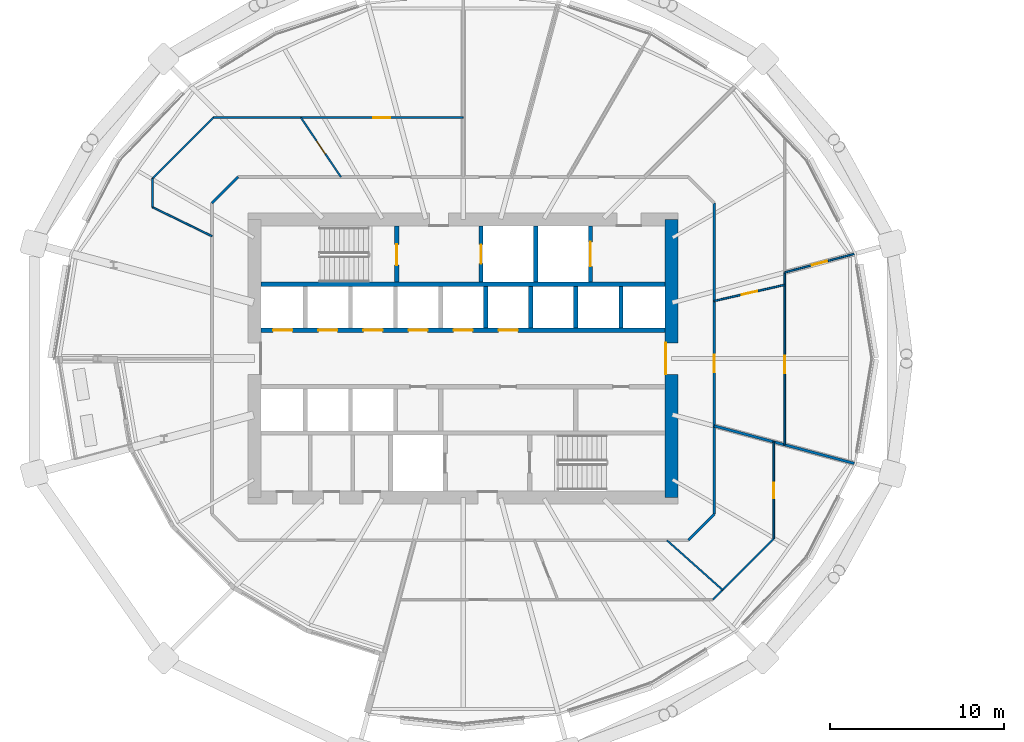
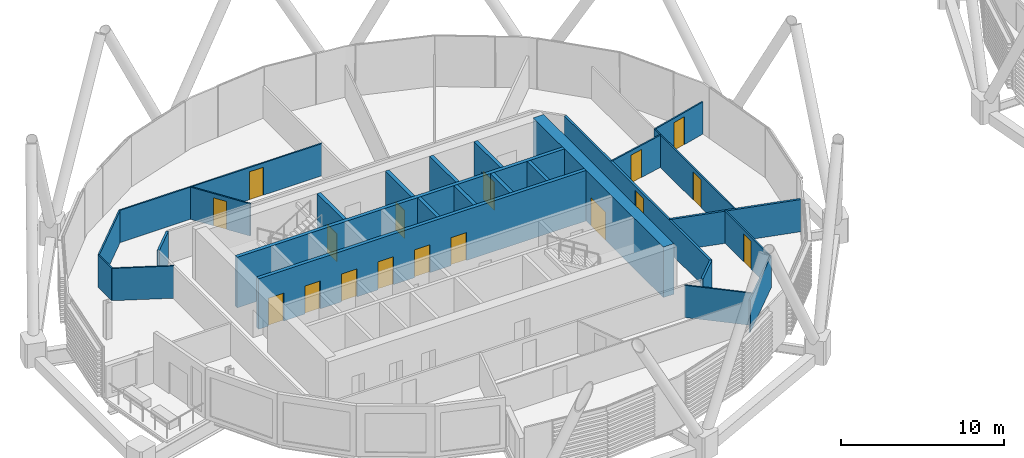
# One storey, part 24 of 38: 26 walls, 17 doors, 17 openings.
"""IFC4 building model written with IfcOpenShell, lengths in metres."""

from ifc_helpers import new_model, si_unit, direction, frame, frame_2d, origin, place, context, subcontext, project, spatial, rectangle, extrude, material, layer, layer_set, type_object, element, fill, save


model = new_model("IFC4")

# Units and contexts
model_context = context("Model", 3, precision=1e-05, world=origin(), true_north=direction((0.0, 1.0)))
body_context = subcontext(model_context, "Body", "Model", "MODEL_VIEW")
ifc_project = project(units=[si_unit("LENGTHUNIT", "METRE"), si_unit("AREAUNIT", "SQUARE_METRE"), si_unit("VOLUMEUNIT", "CUBIC_METRE"), si_unit("PLANEANGLEUNIT", "RADIAN"), si_unit("MASSUNIT", "GRAM", prefix="KILO")], contexts=[model_context])

# Site, building, storey
site_placement = place(None, origin())
site = spatial("IfcSite", under=ifc_project, at=site_placement, CompositionType="ELEMENT")
building_placement = place(site_placement, origin())
building = spatial("IfcBuilding", under=site, at=building_placement, Name="Rimbun Link Towers", CompositionType="ELEMENT")
storey_placement = place(building_placement, frame((0.0, 0.0, 93.0)))
storey = spatial("IfcBuildingStorey", under=building, at=storey_placement, Name="L22", CompositionType="ELEMENT", Elevation=93.0)

# Wall, opening, door
ifc_material_1 = material(Name="Concrete C60/75", Category="concrete")
ifc_layer_1 = layer(ifc_material_1, 0.75)
ifc_layer_set_1 = layer_set([ifc_layer_1], Name="Core shear wall 750")
wall_type_1 = type_object("IfcWallType", Name="Core shear wall 750", PredefinedType="SHEAR", material=ifc_layer_set_1)
wall_1_placement = place(storey_placement, frame((-19.75, -8.0, 0.0), z_axis=(0.0, 0.0, 1.0), x_axis=(0.0, 1.0, 0.0)))
wall_1 = element("IfcWall", 1, at=wall_1_placement, inside=storey, type_object=wall_type_1, Name="L22 T1 core wall E", PredefinedType="SHEAR", context=body_context, shape_type="SweptSolid", body=[
    extrude(rectangle(XDim=16.0, YDim=0.75, at=frame_2d((8.0, 0.0))), origin(), (0.0, 0.0, 1.0), 3.800048828125),
])
opening_1_placement = place(wall_1_placement, frame((7.10009765625, 0.0, 0.0)))
opening_1 = element("IfcOpeningElement", 2, at=opening_1_placement, cuts=wall_1, Name="Opening C1DCL01E", PredefinedType="OPENING", context=body_context, shape_type="SweptSolid", body=[
    extrude(rectangle(XDim=1.800048828125, YDim=2.10009765625, at=frame_2d((0.89990234375, 1.050048828125))), frame((0.0, 0.385009765625, 0.0), z_axis=(0.0, -1.0, 0.0), x_axis=(1.0, 0.0, 0.0)), (0.0, 0.0, 1.0), 0.77001953125),
])
ifc_material_2 = material(Name="Steel fire door set", Category="steel")
door_type_1 = type_object("IfcDoorType", Name="Core lobby door double", OperationType="DOUBLE_DOOR_SINGLE_SWING", PredefinedType="DOOR", material=ifc_material_2)
door_1_placement = place(opening_1_placement, origin())
door_1 = element("IfcDoor", 3, at=door_1_placement, inside=storey, type_object=door_type_1, Name="L22 T1 lift lobby door", OperationType="DOUBLE_DOOR_SINGLE_SWING", OverallHeight=2.10009765625, OverallWidth=1.800048828125, PredefinedType="DOOR", context=body_context, shape_type="SweptSolid", body=[
    extrude(rectangle(XDim=1.800048828125, YDim=2.10009765625, at=frame_2d((0.89990234375, 1.050048828125))), frame((0.0, 0.375, 0.0), z_axis=(0.0, -1.0, 0.0), x_axis=(1.0, 0.0, 0.0)), (0.0, 0.0, 1.0), 0.050048828125),
])
fill(opening_1, door_1)

ifc_material_3 = material(Name="Plasterboard on steel stud, mineral wool", Category="steel")
ifc_layer_2 = layer(ifc_material_3, 0.14990234375)
ifc_layer_set_2 = layer_set([ifc_layer_2], Name="Corridor wall EI 30 150 mm")
wall_type_2 = type_object("IfcWallType", Name="Corridor wall EI 30 150 mm", PredefinedType="PARTITIONING", material=ifc_layer_set_2)
wall_2_placement = place(storey_placement, frame((-17.300048828125, 8.95166015625, 0.0), z_axis=(0.0, 0.0, 1.0), x_axis=(0.0, -1.0, 0.0)))
wall_2 = element("IfcWall", 4, at=wall_2_placement, inside=storey, type_object=wall_type_2, Name="Corridor wall EI 30 150 mm", PredefinedType="PARTITIONING", context=body_context, shape_type="SweptSolid", body=[
    extrude(rectangle(XDim=17.9033203125, YDim=0.14990234375, at=frame_2d((8.95166015625, 0.0))), origin(), (0.0, 0.0, 1.0), 2.419921875),
])
opening_2_placement = place(wall_2_placement, frame((8.72900390625, 0.0, 0.0)))
opening_2 = element("IfcOpeningElement", 5, at=opening_2_placement, cuts=wall_2, Name="Opening D01", PredefinedType="OPENING", context=body_context, shape_type="SweptSolid", body=[
    extrude(rectangle(XDim=1.0, YDim=2.10009765625, at=frame_2d((0.5, 1.050048828125))), frame((0.0, 0.0849609375, 0.0), z_axis=(0.0, -1.0, 0.0), x_axis=(1.0, 0.0, 0.0)), (0.0, 0.0, 1.0), 0.169921875),
])
ifc_material_4 = material(Name="Fire-resisting timber door leaf", Category="wood")
door_type_2 = type_object("IfcDoorType", Name="Fire door FD30S 1000", OperationType="NOTDEFINED", PredefinedType="DOOR", material=ifc_material_4)
door_2_placement = place(opening_2_placement, origin())
door_2 = element("IfcDoor", 6, at=door_2_placement, inside=storey, type_object=door_type_2, Name="Fire door FD30S 1000 to Reception", OperationType="SINGLE_SWING_RIGHT", OverallHeight=2.10009765625, OverallWidth=1.0, PredefinedType="DOOR", context=body_context, shape_type="SweptSolid", body=[
    extrude(rectangle(XDim=1.0, YDim=2.10009765625, at=frame_2d((0.5, 1.050048828125))), frame((0.0, 0.02490234375, 0.0), z_axis=(0.0, -1.0, 0.0), x_axis=(1.0, 0.0, 0.0)), (0.0, 0.0, 1.0), 0.050048828125),
])
fill(opening_2, door_2)

# Walls
for number, where, z_axis, x_axis, name in (
    (7, (-18.79833984375, -10.449951171875, 0.0), (0.0, 0.0, 1.0), (0.707106781187, 0.707106781187, 0.0), "Corridor wall EI 30 150 mm"),
    (8, (-44.70166015625, 10.449951171875, 0.0), (0.0, 0.0, 1.0), (-0.707106781187, -0.707106781187, 0.0), "Corridor wall EI 30 150 mm"),
):
    element("IfcWall", number, at=place(storey_placement, frame(where, z_axis=z_axis, x_axis=x_axis)), inside=storey, type_object=wall_type_2, Name=name, PredefinedType="PARTITIONING", context=body_context, shape_type="SweptSolid", body=[
        extrude(rectangle(XDim=2.118896484375, YDim=0.14990234375, at=frame_2d((1.0595703125, 0.0))), origin(), (0.0, 0.0, 1.0), 2.419921875),
    ])
ifc_material_5 = material(Name="Plasterboard on steel stud", Category="steel")
ifc_layer_3 = layer(ifc_material_5, 0.10009765625)
ifc_layer_set_3 = layer_set([ifc_layer_3], Name="Plasterboard partition 100 mm")
wall_type_3 = type_object("IfcWallType", Name="Plasterboard partition 100 mm", PredefinedType="PARTITIONING", material=ifc_layer_set_3)
wall_3_placement = place(storey_placement, frame((-16.8212890625, -13.3095703125, 0.0), z_axis=(0.0, 0.0, 1.0), x_axis=(-0.746427378028, 0.665466880716, 0.0)))
element("IfcWall", 9, at=wall_3_placement, inside=storey, type_object=wall_type_3, Name="Plasterboard partition 100 mm", PredefinedType="PARTITIONING", context=body_context, shape_type="SweptSolid", body=[
    extrude(rectangle(XDim=4.297119140625, YDim=0.10009765625, at=frame_2d((2.1484375, 0.0))), origin(), (0.0, 0.0, 1.0), 2.419921875),
])
wall_4_placement = place(storey_placement, frame((-17.381591796875, -13.8701171875, 0.0), z_axis=(0.0, 0.0, 1.0), x_axis=(0.707008174748, 0.707205373876, 0.0)))
element("IfcWall", 10, at=wall_4_placement, inside=storey, type_object=wall_type_3, Name="Plasterboard partition 100 mm", PredefinedType="PARTITIONING", context=body_context, shape_type="SweptSolid", body=[
    extrude(rectangle(XDim=4.9521484375, YDim=0.10009765625, at=frame_2d((2.47607421875, 0.0))), origin(), (0.0, 0.0, 1.0), 2.419921875),
])

# Wall, opening, door
wall_5_placement = place(storey_placement, frame((-13.8798828125, -10.368408203125, 0.0), z_axis=(0.0, 0.0, 1.0), x_axis=(0.0, 1.0, 0.0)))
wall_5 = element("IfcWall", 11, at=wall_5_placement, inside=storey, type_object=wall_type_3, Name="Plasterboard partition 100 mm", PredefinedType="PARTITIONING", context=body_context, shape_type="SweptSolid", body=[
    extrude(rectangle(XDim=5.580322265625, YDim=0.10009765625, at=frame_2d((2.7900390625, 0.0))), origin(), (0.0, 0.0, 1.0), 2.419921875),
])
opening_3_placement = place(wall_5_placement, frame((2.340087890625, 0.0, 0.0)))
opening_3 = element("IfcOpeningElement", 12, at=opening_3_placement, cuts=wall_5, Name="Opening D04", PredefinedType="OPENING", context=body_context, shape_type="SweptSolid", body=[
    extrude(rectangle(XDim=0.89990234375, YDim=2.10009765625, at=frame_2d((0.449951171875, 1.050048828125))), frame((0.0, 0.06005859375, 0.0), z_axis=(0.0, -1.0, 0.0), x_axis=(1.0, 0.0, 0.0)), (0.0, 0.0, 1.0), 0.1201171875),
])
ifc_material_6 = material(Name="Timber door leaf", Category="wood")
door_type_3 = type_object("IfcDoorType", Name="Flush door 900", OperationType="NOTDEFINED", PredefinedType="DOOR", material=ifc_material_6)
door_3_placement = place(opening_3_placement, origin())
door_3 = element("IfcDoor", 13, at=door_3_placement, inside=storey, type_object=door_type_3, Name="Flush door 900 to Print room", OperationType="SINGLE_SWING_LEFT", OverallHeight=2.10009765625, OverallWidth=0.89990234375, PredefinedType="DOOR", context=body_context, shape_type="SweptSolid", body=[
    extrude(rectangle(XDim=0.89990234375, YDim=2.10009765625, at=frame_2d((0.449951171875, 1.050048828125))), frame((0.0, 0.02490234375, 0.0), z_axis=(0.0, -1.0, 0.0), x_axis=(1.0, 0.0, 0.0)), (0.0, 0.0, 1.0), 0.050048828125),
])
fill(opening_3, door_3)

wall_6_placement = place(storey_placement, frame((-17.300048828125, 3.3173828125, 0.0), z_axis=(0.0, 0.0, 1.0), x_axis=(0.974638156082, 0.22378664998, 0.0)))
wall_6 = element("IfcWall", 14, at=wall_6_placement, inside=storey, type_object=wall_type_3, Name="Plasterboard partition 100 mm", PredefinedType="PARTITIONING", context=body_context, shape_type="SweptSolid", body=[
    extrude(rectangle(XDim=4.155517578125, YDim=0.10009765625, at=frame_2d((2.07763671875, 0.0))), origin(), (0.0, 0.0, 1.0), 2.419921875),
])
opening_4_placement = place(wall_6_placement, frame((1.627685546875, 0.0, 0.0)))
opening_4 = element("IfcOpeningElement", 15, at=opening_4_placement, cuts=wall_6, Name="Opening D04", PredefinedType="OPENING", context=body_context, shape_type="SweptSolid", body=[
    extrude(rectangle(XDim=0.89990234375, YDim=2.10009765625, at=frame_2d((0.449951171875, 1.050048828125))), frame((0.0, 0.06005859375, 0.0), z_axis=(0.0, -1.0, 0.0), x_axis=(1.0, 0.0, 0.0)), (0.0, 0.0, 1.0), 0.1201171875),
])
door_4_placement = place(opening_4_placement, origin())
door_4 = element("IfcDoor", 16, at=door_4_placement, inside=storey, type_object=door_type_3, Name="Flush door 900 to Pantry", OperationType="SINGLE_SWING_RIGHT", OverallHeight=2.10009765625, OverallWidth=0.89990234375, PredefinedType="DOOR", context=body_context, shape_type="SweptSolid", body=[
    extrude(rectangle(XDim=0.89990234375, YDim=2.10009765625, at=frame_2d((0.449951171875, 1.050048828125))), frame((0.0, 0.02490234375, 0.0), z_axis=(0.0, -1.0, 0.0), x_axis=(1.0, 0.0, 0.0)), (0.0, 0.0, 1.0), 0.050048828125),
])
fill(opening_4, door_4)

wall_7_placement = place(storey_placement, frame((-13.25, 4.95703125, 0.0), z_axis=(0.0, 0.0, 1.0), x_axis=(0.0, -1.0, 0.0)))
wall_7 = element("IfcWall", 17, at=wall_7_placement, inside=storey, type_object=wall_type_3, Name="Plasterboard partition 100 mm", PredefinedType="PARTITIONING", context=body_context, shape_type="SweptSolid", body=[
    extrude(rectangle(XDim=9.9140625, YDim=0.10009765625, at=frame_2d((4.95703125, 0.0))), origin(), (0.0, 0.0, 1.0), 2.419921875),
])
opening_5_placement = place(wall_7_placement, frame((4.797119140625, 0.0, 0.0)))
opening_5 = element("IfcOpeningElement", 18, at=opening_5_placement, cuts=wall_7, Name="Opening D03", PredefinedType="OPENING", context=body_context, shape_type="SweptSolid", body=[
    extrude(rectangle(XDim=1.0, YDim=2.10009765625, at=frame_2d((0.5, 1.050048828125))), frame((0.0, 0.06005859375, 0.0), z_axis=(0.0, -1.0, 0.0), x_axis=(1.0, 0.0, 0.0)), (0.0, 0.0, 1.0), 0.1201171875),
])
ifc_material_7 = material(Name="Timber door leaf", Category="wood")
door_type_4 = type_object("IfcDoorType", Name="Flush door 1000", OperationType="NOTDEFINED", PredefinedType="DOOR", material=ifc_material_7)
door_5_placement = place(opening_5_placement, origin())
door_5 = element("IfcDoor", 19, at=door_5_placement, inside=storey, type_object=door_type_4, Name="Flush door 1000 to Boardroom", OperationType="SINGLE_SWING_LEFT", OverallHeight=2.10009765625, OverallWidth=1.0, PredefinedType="DOOR", context=body_context, shape_type="SweptSolid", body=[
    extrude(rectangle(XDim=1.0, YDim=2.10009765625, at=frame_2d((0.5, 1.050048828125))), frame((0.0, 0.02490234375, 0.0), z_axis=(0.0, -1.0, 0.0), x_axis=(1.0, 0.0, 0.0)), (0.0, 0.0, 1.0), 0.050048828125),
])
fill(opening_5, door_5)

wall_8_placement = place(storey_placement, frame((-13.25, 4.95703125, 0.0), z_axis=(0.0, 0.0, 1.0), x_axis=(0.965926224116, 0.258817560387, 0.0)))
wall_8 = element("IfcWall", 20, at=wall_8_placement, inside=storey, type_object=wall_type_3, Name="Plasterboard partition 100 mm", PredefinedType="PARTITIONING", context=body_context, shape_type="SweptSolid", body=[
    extrude(rectangle(XDim=4.143798828125, YDim=0.10009765625, at=frame_2d((2.07177734375, 0.0))), origin(), (0.0, 0.0, 1.0), 2.419921875),
])
opening_6_placement = place(wall_8_placement, frame((1.6220703125, 0.0, 0.0)))
opening_6 = element("IfcOpeningElement", 21, at=opening_6_placement, cuts=wall_8, Name="Opening D04", PredefinedType="OPENING", context=body_context, shape_type="SweptSolid", body=[
    extrude(rectangle(XDim=0.89990234375, YDim=2.10009765625, at=frame_2d((0.449951171875, 1.050048828125))), frame((0.0, 0.06005859375, 0.0), z_axis=(0.0, -1.0, 0.0), x_axis=(1.0, 0.0, 0.0)), (0.0, 0.0, 1.0), 0.1201171875),
])
door_6_placement = place(opening_6_placement, origin())
door_6 = element("IfcDoor", 22, at=door_6_placement, inside=storey, type_object=door_type_3, Name="Flush door 900 to Meeting room", OperationType="SINGLE_SWING_RIGHT", OverallHeight=2.10009765625, OverallWidth=0.89990234375, PredefinedType="DOOR", context=body_context, shape_type="SweptSolid", body=[
    extrude(rectangle(XDim=0.89990234375, YDim=2.10009765625, at=frame_2d((0.449951171875, 1.050048828125))), frame((0.0, 0.02490234375, 0.0), z_axis=(0.0, -1.0, 0.0), x_axis=(1.0, 0.0, 0.0)), (0.0, 0.0, 1.0), 0.050048828125),
])
fill(opening_6, door_6)

wall_9_placement = place(storey_placement, frame((-38.784423828125, 10.449951171875, 0.0), z_axis=(0.0, 0.0, 1.0), x_axis=(-0.558411635741, 0.829564009024, 0.0)))
wall_9 = element("IfcWall", 23, at=wall_9_placement, inside=storey, type_object=wall_type_3, Name="Plasterboard partition 100 mm", PredefinedType="PARTITIONING", context=body_context, shape_type="SweptSolid", body=[
    extrude(rectangle(XDim=4.122802734375, YDim=0.10009765625, at=frame_2d((2.0615234375, 0.0))), origin(), (0.0, 0.0, 1.0), 2.419921875),
])
opening_7_placement = place(wall_9_placement, frame((1.611328125, 0.0, 0.0)))
opening_7 = element("IfcOpeningElement", 24, at=opening_7_placement, cuts=wall_9, Name="Opening D04", PredefinedType="OPENING", context=body_context, shape_type="SweptSolid", body=[
    extrude(rectangle(XDim=0.89990234375, YDim=2.10009765625, at=frame_2d((0.449951171875, 1.050048828125))), frame((0.0, 0.06005859375, 0.0), z_axis=(0.0, -1.0, 0.0), x_axis=(1.0, 0.0, 0.0)), (0.0, 0.0, 1.0), 0.1201171875),
])
door_7_placement = place(opening_7_placement, origin())
door_7 = element("IfcDoor", 25, at=door_7_placement, inside=storey, type_object=door_type_3, Name="Flush door 900 to Meeting room", OperationType="SINGLE_SWING_LEFT", OverallHeight=2.10009765625, OverallWidth=0.89990234375, PredefinedType="DOOR", context=body_context, shape_type="SweptSolid", body=[
    extrude(rectangle(XDim=0.89990234375, YDim=2.10009765625, at=frame_2d((0.449951171875, 1.050048828125))), frame((0.0, 0.02490234375, 0.0), z_axis=(0.0, -1.0, 0.0), x_axis=(1.0, 0.0, 0.0)), (0.0, 0.0, 1.0), 0.050048828125),
])
fill(opening_7, door_7)

wall_10_placement = place(storey_placement, frame((-46.118408203125, 13.8701171875, 0.0), z_axis=(0.0, 0.0, 1.0), x_axis=(1.0, 0.0, 0.0)))
wall_10 = element("IfcWall", 26, at=wall_10_placement, inside=storey, type_object=wall_type_3, Name="Plasterboard partition 100 mm", PredefinedType="PARTITIONING", context=body_context, shape_type="SweptSolid", body=[
    extrude(rectangle(XDim=14.368408203125, YDim=0.10009765625, at=frame_2d((7.18408203125, 0.0))), origin(), (0.0, 0.0, 1.0), 2.419921875),
])
opening_8_placement = place(wall_10_placement, frame((9.18505859375, 0.0, 0.0)))
opening_8 = element("IfcOpeningElement", 27, at=opening_8_placement, cuts=wall_10, Name="Opening D03", PredefinedType="OPENING", context=body_context, shape_type="SweptSolid", body=[
    extrude(rectangle(XDim=1.0, YDim=2.10009765625, at=frame_2d((0.5, 1.050048828125))), frame((0.0, 0.06005859375, 0.0), z_axis=(0.0, -1.0, 0.0), x_axis=(1.0, 0.0, 0.0)), (0.0, 0.0, 1.0), 0.1201171875),
])
door_8_placement = place(opening_8_placement, origin())
door_8 = element("IfcDoor", 28, at=door_8_placement, inside=storey, type_object=door_type_4, Name="Flush door 1000 to Open office", OperationType="SINGLE_SWING_RIGHT", OverallHeight=2.10009765625, OverallWidth=1.0, PredefinedType="DOOR", context=body_context, shape_type="SweptSolid", body=[
    extrude(rectangle(XDim=1.0, YDim=2.10009765625, at=frame_2d((0.5, 1.050048828125))), frame((0.0, 0.02490234375, 0.0), z_axis=(0.0, -1.0, 0.0), x_axis=(1.0, 0.0, 0.0)), (0.0, 0.0, 1.0), 0.050048828125),
])
fill(opening_8, door_8)

# Walls
wall_11_placement = place(storey_placement, frame((-46.118408203125, 13.8701171875, 0.0), z_axis=(0.0, 0.0, 1.0), x_axis=(-0.707106781187, -0.707106781187, 0.0)))
element("IfcWall", 29, at=wall_11_placement, inside=storey, type_object=wall_type_3, Name="Plasterboard partition 100 mm", PredefinedType="PARTITIONING", context=body_context, shape_type="SweptSolid", body=[
    extrude(rectangle(XDim=4.9521484375, YDim=0.10009765625, at=frame_2d((2.47607421875, 0.0))), origin(), (0.0, 0.0, 1.0), 2.419921875),
])
wall_12_placement = place(storey_placement, frame((-49.6201171875, 8.712646484375, 0.0), z_axis=(0.0, 0.0, 1.0), x_axis=(0.898860924109, -0.438234000404, 0.0)))
element("IfcWall", 30, at=wall_12_placement, inside=storey, type_object=wall_type_3, Name="Plasterboard partition 100 mm", PredefinedType="PARTITIONING", context=body_context, shape_type="SweptSolid", body=[
    extrude(rectangle(XDim=3.804931640625, YDim=0.10009765625, at=frame_2d((1.90234375, 0.0))), origin(), (0.0, 0.0, 1.0), 2.419921875),
])
wall_13_placement = place(storey_placement, frame((-49.6201171875, 10.368408203125, 0.0), z_axis=(0.0, 0.0, 1.0), x_axis=(0.0, -1.0, 0.0)))
element("IfcWall", 31, at=wall_13_placement, inside=storey, type_object=wall_type_3, Name="Plasterboard partition 100 mm", PredefinedType="PARTITIONING", context=body_context, shape_type="SweptSolid", body=[
    extrude(rectangle(XDim=1.65576171875, YDim=0.10009765625, at=frame_2d((0.827880859375, 0.0))), origin(), (0.0, 0.0, 1.0), 2.419921875),
])
ifc_material_8 = material(Name="Concrete C60/75", Category="concrete")
ifc_layer_4 = layer(ifc_material_8, 0.25)
ifc_layer_set_4 = layer_set([ifc_layer_4], Name="Shaft wall 250")
wall_type_4 = type_object("IfcWallType", Name="Shaft wall 250", PredefinedType="SHEAR", material=ifc_layer_set_4)
wall_14_placement = place(storey_placement, frame((-43.375, 4.27490234375, 0.0), z_axis=(0.0, 0.0, 1.0), x_axis=(1.0, 0.0, 0.0)))
element("IfcWall", 32, at=wall_14_placement, inside=storey, type_object=wall_type_4, Name="L22 T1 core wall BN", PredefinedType="SHEAR", context=body_context, shape_type="SweptSolid", body=[
    extrude(rectangle(XDim=23.25, YDim=0.25, at=frame_2d((11.625, 0.0))), origin(), (0.0, 0.0, 1.0), 3.800048828125),
])

# Wall, openings, doors
wall_15_placement = place(storey_placement, frame((-43.375, 1.625, 0.0), z_axis=(0.0, 0.0, 1.0), x_axis=(1.0, 0.0, 0.0)))
wall_15 = element("IfcWall", 33, at=wall_15_placement, inside=storey, type_object=wall_type_4, Name="L22 T1 core wall FN", PredefinedType="SHEAR", context=body_context, shape_type="SweptSolid", body=[
    extrude(rectangle(XDim=23.25, YDim=0.25, at=frame_2d((11.625, 0.0))), origin(), (0.0, 0.0, 1.0), 3.800048828125),
])
opening_9_placement = place(wall_15_placement, frame((0.697265625, 0.0, 0.0)))
opening_9 = element("IfcOpeningElement", 34, at=opening_9_placement, cuts=wall_15, Name="Opening LD-T1-LR1", PredefinedType="OPENING", context=body_context, shape_type="SweptSolid", body=[
    extrude(rectangle(XDim=1.10009765625, YDim=2.10009765625, at=frame_2d((0.550048828125, 1.050048828125))), frame((0.0, 0.135009765625, 0.0), z_axis=(0.0, -1.0, 0.0), x_axis=(1.0, 0.0, 0.0)), (0.0, 0.0, 1.0), 0.27001953125),
])
opening_10_placement = place(wall_15_placement, frame((3.291748046875, 0.0, 0.0)))
opening_10 = element("IfcOpeningElement", 35, at=opening_10_placement, cuts=wall_15, Name="Opening LD-T1-LR2", PredefinedType="OPENING", context=body_context, shape_type="SweptSolid", body=[
    extrude(rectangle(XDim=1.10009765625, YDim=2.10009765625, at=frame_2d((0.550048828125, 1.050048828125))), frame((0.0, 0.135009765625, 0.0), z_axis=(0.0, -1.0, 0.0), x_axis=(1.0, 0.0, 0.0)), (0.0, 0.0, 1.0), 0.27001953125),
])
opening_11_placement = place(wall_15_placement, frame((5.885986328125, 0.0, 0.0)))
opening_11 = element("IfcOpeningElement", 36, at=opening_11_placement, cuts=wall_15, Name="Opening LD-T1-LR3", PredefinedType="OPENING", context=body_context, shape_type="SweptSolid", body=[
    extrude(rectangle(XDim=1.10009765625, YDim=2.10009765625, at=frame_2d((0.550048828125, 1.050048828125))), frame((0.0, 0.135009765625, 0.0), z_axis=(0.0, -1.0, 0.0), x_axis=(1.0, 0.0, 0.0)), (0.0, 0.0, 1.0), 0.27001953125),
])
opening_12_placement = place(wall_15_placement, frame((8.480712890625, 0.0, 0.0)))
opening_12 = element("IfcOpeningElement", 37, at=opening_12_placement, cuts=wall_15, Name="Opening LD-T1-LR4", PredefinedType="OPENING", context=body_context, shape_type="SweptSolid", body=[
    extrude(rectangle(XDim=1.10009765625, YDim=2.10009765625, at=frame_2d((0.550048828125, 1.050048828125))), frame((0.0, 0.135009765625, 0.0), z_axis=(0.0, -1.0, 0.0), x_axis=(1.0, 0.0, 0.0)), (0.0, 0.0, 1.0), 0.27001953125),
])
opening_13_placement = place(wall_15_placement, frame((11.074951171875, 0.0, 0.0)))
opening_13 = element("IfcOpeningElement", 38, at=opening_13_placement, cuts=wall_15, Name="Opening LD-T1-LR5", PredefinedType="OPENING", context=body_context, shape_type="SweptSolid", body=[
    extrude(rectangle(XDim=1.10009765625, YDim=2.10009765625, at=frame_2d((0.550048828125, 1.050048828125))), frame((0.0, 0.135009765625, 0.0), z_axis=(0.0, -1.0, 0.0), x_axis=(1.0, 0.0, 0.0)), (0.0, 0.0, 1.0), 0.27001953125),
])
opening_14_placement = place(wall_15_placement, frame((13.66943359375, 0.0, 0.0)))
opening_14 = element("IfcOpeningElement", 39, at=opening_14_placement, cuts=wall_15, Name="Opening LD-T1-LR6", PredefinedType="OPENING", context=body_context, shape_type="SweptSolid", body=[
    extrude(rectangle(XDim=1.10009765625, YDim=2.10009765625, at=frame_2d((0.550048828125, 1.050048828125))), frame((0.0, 0.135009765625, 0.0), z_axis=(0.0, -1.0, 0.0), x_axis=(1.0, 0.0, 0.0)), (0.0, 0.0, 1.0), 0.27001953125),
])
ifc_material_9 = material(Name="Stainless steel grade 316", Category="steel")
door_type_5 = type_object("IfcDoorType", Name="Lift landing door", OperationType="DOUBLE_DOOR_SLIDING", PredefinedType="DOOR", material=ifc_material_9)
door_9_placement = place(opening_9_placement, origin())
door_9 = element("IfcDoor", 40, at=door_9_placement, inside=storey, type_object=door_type_5, Name="L22 T1 lift LR1 landing door", OperationType="DOUBLE_DOOR_SLIDING", OverallHeight=2.10009765625, OverallWidth=1.10009765625, PredefinedType="DOOR", context=body_context, shape_type="SweptSolid", body=[
    extrude(rectangle(XDim=1.10009765625, YDim=2.10009765625, at=frame_2d((0.550048828125, 1.050048828125))), frame((0.0, 0.02490234375, 0.0), z_axis=(0.0, -1.0, 0.0), x_axis=(1.0, 0.0, 0.0)), (0.0, 0.0, 1.0), 0.050048828125),
])
fill(opening_9, door_9)
door_10_placement = place(opening_10_placement, origin())
door_10 = element("IfcDoor", 41, at=door_10_placement, inside=storey, type_object=door_type_5, Name="L22 T1 lift LR2 landing door", OperationType="DOUBLE_DOOR_SLIDING", OverallHeight=2.10009765625, OverallWidth=1.10009765625, PredefinedType="DOOR", context=body_context, shape_type="SweptSolid", body=[
    extrude(rectangle(XDim=1.10009765625, YDim=2.10009765625, at=frame_2d((0.550048828125, 1.050048828125))), frame((0.0, 0.02490234375, 0.0), z_axis=(0.0, -1.0, 0.0), x_axis=(1.0, 0.0, 0.0)), (0.0, 0.0, 1.0), 0.050048828125),
])
fill(opening_10, door_10)
door_11_placement = place(opening_11_placement, origin())
door_11 = element("IfcDoor", 42, at=door_11_placement, inside=storey, type_object=door_type_5, Name="L22 T1 lift LR3 landing door", OperationType="DOUBLE_DOOR_SLIDING", OverallHeight=2.10009765625, OverallWidth=1.10009765625, PredefinedType="DOOR", context=body_context, shape_type="SweptSolid", body=[
    extrude(rectangle(XDim=1.10009765625, YDim=2.10009765625, at=frame_2d((0.550048828125, 1.050048828125))), frame((0.0, 0.02490234375, 0.0), z_axis=(0.0, -1.0, 0.0), x_axis=(1.0, 0.0, 0.0)), (0.0, 0.0, 1.0), 0.050048828125),
])
fill(opening_11, door_11)
door_12_placement = place(opening_12_placement, origin())
door_12 = element("IfcDoor", 43, at=door_12_placement, inside=storey, type_object=door_type_5, Name="L22 T1 lift LR4 landing door", OperationType="DOUBLE_DOOR_SLIDING", OverallHeight=2.10009765625, OverallWidth=1.10009765625, PredefinedType="DOOR", context=body_context, shape_type="SweptSolid", body=[
    extrude(rectangle(XDim=1.10009765625, YDim=2.10009765625, at=frame_2d((0.550048828125, 1.050048828125))), frame((0.0, 0.02490234375, 0.0), z_axis=(0.0, -1.0, 0.0), x_axis=(1.0, 0.0, 0.0)), (0.0, 0.0, 1.0), 0.050048828125),
])
fill(opening_12, door_12)
door_13_placement = place(opening_13_placement, origin())
door_13 = element("IfcDoor", 44, at=door_13_placement, inside=storey, type_object=door_type_5, Name="L22 T1 lift LR5 landing door", OperationType="DOUBLE_DOOR_SLIDING", OverallHeight=2.10009765625, OverallWidth=1.10009765625, PredefinedType="DOOR", context=body_context, shape_type="SweptSolid", body=[
    extrude(rectangle(XDim=1.10009765625, YDim=2.10009765625, at=frame_2d((0.550048828125, 1.050048828125))), frame((0.0, 0.02490234375, 0.0), z_axis=(0.0, -1.0, 0.0), x_axis=(1.0, 0.0, 0.0)), (0.0, 0.0, 1.0), 0.050048828125),
])
fill(opening_13, door_13)
door_14_placement = place(opening_14_placement, origin())
door_14 = element("IfcDoor", 45, at=door_14_placement, inside=storey, type_object=door_type_5, Name="L22 T1 lift LR6 landing door", OperationType="DOUBLE_DOOR_SLIDING", OverallHeight=2.10009765625, OverallWidth=1.10009765625, PredefinedType="DOOR", context=body_context, shape_type="SweptSolid", body=[
    extrude(rectangle(XDim=1.10009765625, YDim=2.10009765625, at=frame_2d((0.550048828125, 1.050048828125))), frame((0.0, 0.02490234375, 0.0), z_axis=(0.0, -1.0, 0.0), x_axis=(1.0, 0.0, 0.0)), (0.0, 0.0, 1.0), 0.050048828125),
])
fill(opening_14, door_14)

# Walls
for number, where, z_axis, x_axis, name in (
    (46, (-30.452880859375, 1.75, 0.0), (0.0, 0.0, 1.0), (0.0, 1.0, 0.0), "L22 T1 core wall DN4"),
    (47, (-27.8583984375, 1.75, 0.0), (0.0, 0.0, 1.0), (0.0, 1.0, 0.0), "L22 T1 core wall DN5"),
    (48, (-25.263916015625, 1.75, 0.0), (0.0, 0.0, 1.0), (0.0, 1.0, 0.0), "L22 T1 core wall DN6"),
    (49, (-22.66943359375, 1.75, 0.0), (0.0, 0.0, 1.0), (0.0, 1.0, 0.0), "L22 T1 core wall DN7"),
):
    element("IfcWall", number, at=place(storey_placement, frame(where, z_axis=z_axis, x_axis=x_axis)), inside=storey, type_object=wall_type_4, Name=name, PredefinedType="SHEAR", context=body_context, shape_type="SweptSolid", body=[
        extrude(rectangle(XDim=2.39990234375, YDim=0.25, at=frame_2d((1.199951171875, 0.0))), origin(), (0.0, 0.0, 1.0), 3.800048828125),
    ])

# Wall, opening, door
wall_16_placement = place(storey_placement, frame((-35.574951171875, 4.39990234375, 0.0), z_axis=(0.0, 0.0, 1.0), x_axis=(0.0, 1.0, 0.0)))
wall_16 = element("IfcWall", 50, at=wall_16_placement, inside=storey, type_object=wall_type_4, Name="L22 T1 core wall A1", PredefinedType="SHEAR", context=body_context, shape_type="SweptSolid", body=[
    extrude(rectangle(XDim=3.22509765625, YDim=0.25, at=frame_2d((1.612548828125, 0.0))), origin(), (0.0, 0.0, 1.0), 3.800048828125),
])
opening_15_placement = place(wall_16_placement, frame((0.97509765625, 0.0, 0.0)))
opening_15 = element("IfcOpeningElement", 51, at=opening_15_placement, cuts=wall_16, Name="Opening C1DST01A1", PredefinedType="OPENING", context=body_context, shape_type="SweptSolid", body=[
    extrude(rectangle(XDim=1.199951171875, YDim=2.10009765625, at=frame_2d((0.60009765625, 1.050048828125))), frame((0.0, 0.135009765625, 0.0), z_axis=(0.0, -1.0, 0.0), x_axis=(1.0, 0.0, 0.0)), (0.0, 0.0, 1.0), 0.27001953125),
])
ifc_material_10 = material(Name="Steel fire door set", Category="steel")
door_type_6 = type_object("IfcDoorType", Name="Stair door", OperationType="SINGLE_SWING_LEFT", PredefinedType="DOOR", material=ifc_material_10)
door_15_placement = place(opening_15_placement, origin())
door_15 = element("IfcDoor", 52, at=door_15_placement, inside=storey, type_object=door_type_6, Name="L22 T1 stair a door", OperationType="SINGLE_SWING_RIGHT", OverallHeight=2.10009765625, OverallWidth=1.199951171875, PredefinedType="DOOR", context=body_context, shape_type="SweptSolid", body=[
    extrude(rectangle(XDim=1.199951171875, YDim=2.10009765625, at=frame_2d((0.60009765625, 1.050048828125))), frame((0.0, 0.02490234375, 0.0), z_axis=(0.0, -1.0, 0.0), x_axis=(1.0, 0.0, 0.0)), (0.0, 0.0, 1.0), 0.050048828125),
])
fill(opening_15, door_15)

wall_17_placement = place(storey_placement, frame((-30.72509765625, 4.39990234375, 0.0), z_axis=(0.0, 0.0, 1.0), x_axis=(0.0, 1.0, 0.0)))
wall_17 = element("IfcWall", 53, at=wall_17_placement, inside=storey, type_object=wall_type_4, Name="L22 T1 core wall A2", PredefinedType="SHEAR", context=body_context, shape_type="SweptSolid", body=[
    extrude(rectangle(XDim=3.22509765625, YDim=0.25, at=frame_2d((1.612548828125, 0.0))), origin(), (0.0, 0.0, 1.0), 3.800048828125),
])
opening_16_placement = place(wall_17_placement, frame((1.0625, 0.0, 0.0)))
opening_16 = element("IfcOpeningElement", 54, at=opening_16_placement, cuts=wall_17, Name="Opening LD-T1-FF1", PredefinedType="OPENING", context=body_context, shape_type="SweptSolid", body=[
    extrude(rectangle(XDim=1.10009765625, YDim=2.10009765625, at=frame_2d((0.550048828125, 1.050048828125))), frame((0.0, 0.135009765625, 0.0), z_axis=(0.0, -1.0, 0.0), x_axis=(1.0, 0.0, 0.0)), (0.0, 0.0, 1.0), 0.27001953125),
])
door_16_placement = place(opening_16_placement, origin())
door_16 = element("IfcDoor", 55, at=door_16_placement, inside=storey, type_object=door_type_5, Name="L22 T1 lift FF1 landing door", OperationType="DOUBLE_DOOR_SLIDING", OverallHeight=2.10009765625, OverallWidth=1.10009765625, PredefinedType="DOOR", context=body_context, shape_type="SweptSolid", body=[
    extrude(rectangle(XDim=1.10009765625, YDim=2.10009765625, at=frame_2d((0.550048828125, 1.050048828125))), frame((0.0, 0.02490234375, 0.0), z_axis=(0.0, -1.0, 0.0), x_axis=(1.0, 0.0, 0.0)), (0.0, 0.0, 1.0), 0.050048828125),
])
fill(opening_16, door_16)

# Wall
wall_18_placement = place(storey_placement, frame((-27.574951171875, 4.39990234375, 0.0), z_axis=(0.0, 0.0, 1.0), x_axis=(0.0, 1.0, 0.0)))
element("IfcWall", 56, at=wall_18_placement, inside=storey, type_object=wall_type_4, Name="L22 T1 core wall A3", PredefinedType="SHEAR", context=body_context, shape_type="SweptSolid", body=[
    extrude(rectangle(XDim=3.22509765625, YDim=0.25, at=frame_2d((1.612548828125, 0.0))), origin(), (0.0, 0.0, 1.0), 3.800048828125),
])

# Wall, opening, door
wall_19_placement = place(storey_placement, frame((-24.425048828125, 4.39990234375, 0.0), z_axis=(0.0, 0.0, 1.0), x_axis=(0.0, 1.0, 0.0)))
wall_19 = element("IfcWall", 57, at=wall_19_placement, inside=storey, type_object=wall_type_4, Name="L22 T1 core wall A4", PredefinedType="SHEAR", context=body_context, shape_type="SweptSolid", body=[
    extrude(rectangle(XDim=3.22509765625, YDim=0.25, at=frame_2d((1.612548828125, 0.0))), origin(), (0.0, 0.0, 1.0), 3.800048828125),
])
opening_17_placement = place(wall_19_placement, frame((0.91259765625, 0.0, 0.0)))
opening_17 = element("IfcOpeningElement", 58, at=opening_17_placement, cuts=wall_19, Name="Opening LD-T1-GL1", PredefinedType="OPENING", context=body_context, shape_type="SweptSolid", body=[
    extrude(rectangle(XDim=1.39990234375, YDim=2.10009765625, at=frame_2d((0.699951171875, 1.050048828125))), frame((0.0, 0.135009765625, 0.0), z_axis=(0.0, -1.0, 0.0), x_axis=(1.0, 0.0, 0.0)), (0.0, 0.0, 1.0), 0.27001953125),
])
ifc_material_11 = material(Name="Stainless steel grade 316", Category="steel")
door_type_7 = type_object("IfcDoorType", Name="Goods lift landing door", OperationType="DOUBLE_DOOR_SLIDING", PredefinedType="DOOR", material=ifc_material_11)
door_17_placement = place(opening_17_placement, origin())
door_17 = element("IfcDoor", 59, at=door_17_placement, inside=storey, type_object=door_type_7, Name="L22 T1 lift GL1 landing door", OperationType="DOUBLE_DOOR_SLIDING", OverallHeight=2.10009765625, OverallWidth=1.39990234375, PredefinedType="DOOR", context=body_context, shape_type="SweptSolid", body=[
    extrude(rectangle(XDim=1.39990234375, YDim=2.10009765625, at=frame_2d((0.699951171875, 1.050048828125))), frame((0.0, 0.02490234375, 0.0), z_axis=(0.0, -1.0, 0.0), x_axis=(1.0, 0.0, 0.0)), (0.0, 0.0, 1.0), 0.050048828125),
])
fill(opening_17, door_17)

# Wall
ifc_material_12 = material(Name="Plasterboard on steel stud, mineral wool", Category="steel")
ifc_layer_5 = layer(ifc_material_12, 0.14990234375)
ifc_layer_set_5 = layer_set([ifc_layer_5], Name="Tenancy separation wall EI 60 150 mm")
wall_type_5 = type_object("IfcWallType", Name="Tenancy separation wall EI 60 150 mm", PredefinedType="PARTITIONING", material=ifc_layer_set_5)
wall_20_placement = place(storey_placement, frame((-17.300048828125, -3.871826171875, 0.0), z_axis=(0.0, 0.0, 1.0), x_axis=(0.965926091045, -0.258818057017, 0.0)))
element("IfcWall", 60, at=wall_20_placement, inside=storey, type_object=wall_type_5, Name="Tenancy separation wall EI 60 150 mm", PredefinedType="PARTITIONING", context=body_context, shape_type="SweptSolid", body=[
    extrude(rectangle(XDim=8.3369140625, YDim=0.14990234375, at=frame_2d((4.16845703125, 0.0))), origin(), (0.0, 0.0, 1.0), 2.419921875),
])

save(model, "model.ifc")
